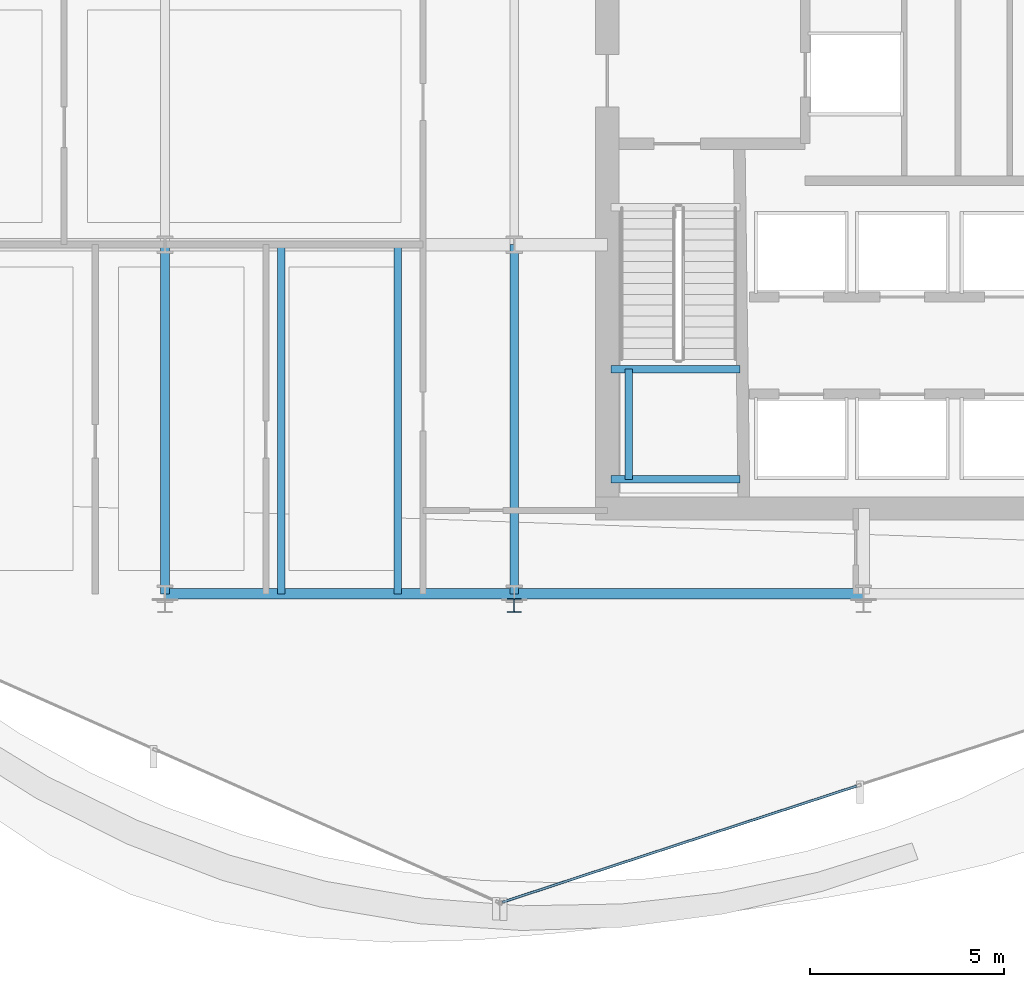
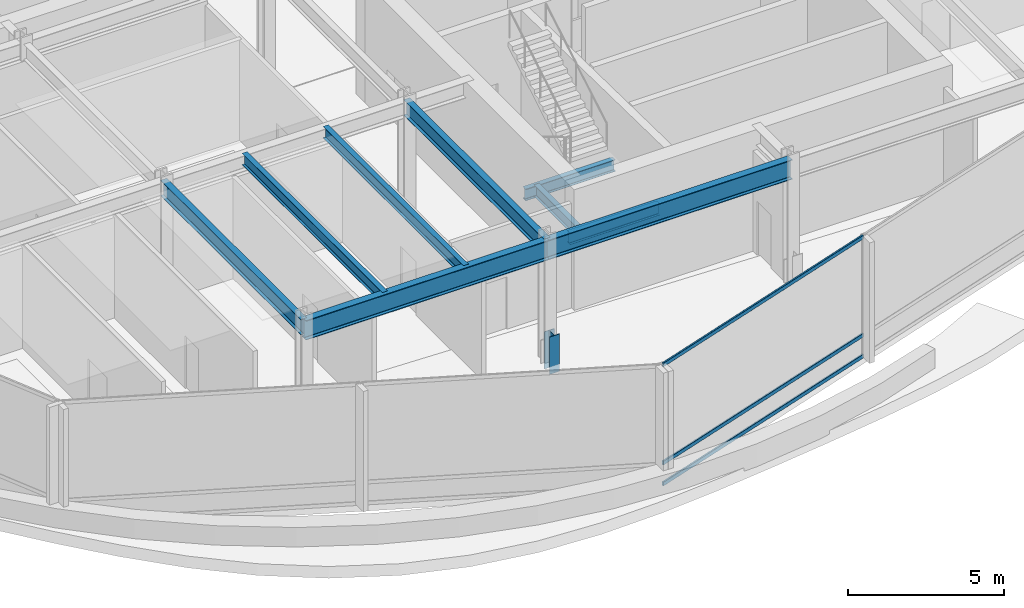
# One storey, part 4 of 33: 9 beams, 4 members, 1 element without a shape of its own.
"""IFC4 building model written with IfcOpenShell, lengths in metres."""

from ifc_helpers import new_model, si_unit, direction, frame, origin, origin_2d, place, context, subcontext, project, spatial, hollow_rectangle, i_section, extrude, material, layer, layer_set, material_profile, profile_set, type_object, element, aggregate, save


model = new_model("IFC4")

# Units and contexts
model_context = context("Model", 3, precision=1e-05, world=origin(), true_north=direction((0.0, 1.0)))
body_context = subcontext(model_context, "Body", "Model", "MODEL_VIEW")
ifc_project = project(units=[si_unit("LENGTHUNIT", "METRE"), si_unit("AREAUNIT", "SQUARE_METRE"), si_unit("VOLUMEUNIT", "CUBIC_METRE"), si_unit("PLANEANGLEUNIT", "RADIAN"), si_unit("MASSUNIT", "GRAM", prefix="KILO")], contexts=[model_context])

# Site, building, storey
site_placement = place(None, origin())
site = spatial("IfcSite", under=ifc_project, at=site_placement, CompositionType="ELEMENT")
building_placement = place(site_placement, origin())
building = spatial("IfcBuilding", under=site, at=building_placement, Name="Solvaryn Broadcast Tower", CompositionType="ELEMENT")
storey_placement = place(building_placement, frame((0.0, 0.0, 105.0)))
storey = spatial("IfcBuildingStorey", under=building, at=storey_placement, Name="L25", CompositionType="ELEMENT", Elevation=105.0)

# Beams
ifc_material_1 = material(Name="Steel ASTM A992 Grade 50", Category="steel")
ifc_material_profile_1 = material_profile(ifc_material_1, i_section(OverallWidth=0.22802734375, OverallDepth=0.60791015625, WebThickness=0.01123046875, FlangeThickness=0.017333984375, FilletRadius=0.014892578125, at=origin_2d()))
ifc_profile_set_1 = profile_set([ifc_material_profile_1], Name="Steel ASTM A992 Grade 50")
beam_type_1 = type_object("IfcBeamType", Name="BM-B2-W24X76", PredefinedType="BEAM", material=ifc_profile_set_1)
for number, where, z_axis, x_axis, name in (
    (1, (18.0, 9.0, 4.416015625), (0.0, 1.0, 0.0), (-1.0, 0.0, 0.0), "L25 Primary Beam Y (9-18 @ X=18)"),
    (2, (27.0, 9.0, 4.416015625), (0.0, 1.0, 0.0), (-1.0, 0.0, 0.0), "L25 Primary Beam Y (9-18 @ X=27)"),
):
    element("IfcBeam", number, at=place(storey_placement, frame(where, z_axis=z_axis, x_axis=x_axis)), inside=storey, type_object=beam_type_1, Name=name, PredefinedType="BEAM", context=body_context, shape_type="SweptSolid", body=[
        extrude(i_section(OverallWidth=0.22802734375, OverallDepth=0.60791015625, WebThickness=0.01123046875, FlangeThickness=0.017333984375, FilletRadius=0.014892578125, at=origin_2d()), origin(), (0.0, 0.0, 1.0), 9.0),
    ])
ifc_material_2 = material(Name="Steel ASTM A992 Grade 50", Category="steel")
ifc_material_profile_2 = material_profile(ifc_material_2, i_section(OverallWidth=0.18994140625, OverallDepth=0.45703125, WebThickness=0.009033203125, FlangeThickness=0.014404296875, FilletRadius=0.011962890625, at=origin_2d()))
ifc_profile_set_2 = profile_set([ifc_material_profile_2], Name="Steel ASTM A992 Grade 50")
beam_type_2 = type_object("IfcBeamType", Name="BM-B4-W18X50", PredefinedType="BEAM", material=ifc_profile_set_2)
for number, where, z_axis, x_axis, name in (
    (3, (29.5, 11.949951171875, 2.071533203125), (1.0, 0.0, 0.0), (0.0, 1.0, 0.0), "L25 ST3 Landing Support Beam 1A"),
    (4, (29.5, 14.7900390625, 2.071533203125), (1.0, 0.0, 0.0), (0.0, 1.0, 0.0), "L25 ST3 Landing Support Beam 1B"),
):
    element("IfcBeam", number, at=place(storey_placement, frame(where, z_axis=z_axis, x_axis=x_axis)), inside=storey, type_object=beam_type_2, Name=name, PredefinedType="BEAM", context=body_context, shape_type="SweptSolid", body=[
        extrude(i_section(OverallWidth=0.18994140625, OverallDepth=0.45703125, WebThickness=0.009033203125, FlangeThickness=0.014404296875, FilletRadius=0.011962890625, at=origin_2d()), origin(), (0.0, 0.0, 1.0), 3.320068359375),
    ])
beam_placement = place(storey_placement, frame((29.949951171875, 11.949951171875, 2.071533203125), z_axis=(0.0, 1.0, 0.0), x_axis=(-1.0, 0.0, 0.0)))
element("IfcBeam", 5, at=beam_placement, inside=storey, type_object=beam_type_2, Name="L25 ST3 Landing Cross Stringer 1C", PredefinedType="BEAM", context=body_context, shape_type="SweptSolid", body=[
    extrude(i_section(OverallWidth=0.18994140625, OverallDepth=0.45703125, WebThickness=0.009033203125, FlangeThickness=0.014404296875, FilletRadius=0.011962890625, at=origin_2d()), origin(), (0.0, 0.0, 1.0), 2.840087890625),
])
ifc_material_3 = material(Name="Steel ASTM A992 Grade 50", Category="steel")
ifc_material_profile_3 = material_profile(ifc_material_3, i_section(OverallWidth=0.18994140625, OverallDepth=0.45703125, WebThickness=0.009033203125, FlangeThickness=0.014404296875, FilletRadius=0.011962890625, at=origin_2d()))
ifc_profile_set_3 = profile_set([ifc_material_profile_3], Name="Steel ASTM A992 Grade 50")
beam_type_3 = type_object("IfcBeamType", Name="BM-JOIST-W18X50", PredefinedType="JOIST", material=ifc_profile_set_3)
for number, where, z_axis, x_axis, name in (
    (6, (21.0, 9.0, 4.491455078125), (0.0, 1.0, 0.0), (-1.0, 0.0, 0.0), "L25 Sky-Garden Floor Joist 1"),
    (7, (24.0, 9.0, 4.491455078125), (0.0, 1.0, 0.0), (-1.0, 0.0, 0.0), "L25 Sky-Garden Floor Joist 2"),
):
    element("IfcBeam", number, at=place(storey_placement, frame(where, z_axis=z_axis, x_axis=x_axis)), inside=storey, type_object=beam_type_3, Name=name, PredefinedType="JOIST", context=body_context, shape_type="SweptSolid", body=[
        extrude(i_section(OverallWidth=0.18994140625, OverallDepth=0.45703125, WebThickness=0.009033203125, FlangeThickness=0.014404296875, FilletRadius=0.011962890625, at=origin_2d()), origin(), (0.0, 0.0, 1.0), 9.0),
    ])
ifc_material_4 = material(Name="Steel ASTM A992 Grade 50", Category="steel")
ifc_material_profile_4 = material_profile(ifc_material_4, i_section(OverallWidth=0.26708984375, OverallDepth=0.76611328125, WebThickness=0.014892578125, FlangeThickness=0.023681640625, FilletRadius=0.01806640625, at=origin_2d()))
ifc_profile_set_4 = profile_set([ifc_material_profile_4], Name="Steel ASTM A992 Grade 50")
beam_type_4 = type_object("IfcBeamType", Name="BM-SP2-W30X124", PredefinedType="USERDEFINED", material=ifc_profile_set_4)
for number, where, z_axis, x_axis, name in (
    (8, (18.0, 9.0, 4.3369140625), (1.0, 0.0, 0.0), (0.0, 1.0, 0.0), "L25 Spandrel Beam X (18-27 @ Y=9)"),
    (9, (27.0, 9.0, 4.3369140625), (1.0, 0.0, 0.0), (0.0, 1.0, 0.0), "L25 Spandrel Beam X (27-36 @ Y=9)"),
):
    element("IfcBeam", number, at=place(storey_placement, frame(where, z_axis=z_axis, x_axis=x_axis)), inside=storey, type_object=beam_type_4, Name=name, ObjectType="SPANDREL", PredefinedType="USERDEFINED", context=body_context, shape_type="SweptSolid", body=[
        extrude(i_section(OverallWidth=0.26708984375, OverallDepth=0.76611328125, WebThickness=0.014892578125, FlangeThickness=0.023681640625, FilletRadius=0.01806640625, at=origin_2d()), origin(), (0.0, 0.0, 1.0), 9.0),
    ])

# Curtain wall, members
ifc_material_5 = material(Name="Aluminium and Terracotta Unitised Curtain Wall", Category="masonry")
ifc_layer = layer(ifc_material_5, 0.25)
ifc_layer_set = layer_set([ifc_layer], Name="CW-SYS4-SKYGARDEN")
curtain_wall_type = type_object("IfcCurtainWallType", Name="CW-SYS4-SKYGARDEN", PredefinedType="NOTDEFINED", material=ifc_layer_set)
curtain_wall_placement = place(storey_placement, origin())
curtain_wall = element("IfcCurtainWall", 10, at=curtain_wall_placement, inside=storey, type_object=curtain_wall_type, Name="L25 Curtain Wall DR4", PredefinedType="NOTDEFINED")
ifc_material_6 = material(Name="Anodised Aluminium 6063-T6", Category="aluminium")
ifc_material_profile_5 = material_profile(ifc_material_6, hollow_rectangle(XDim=0.06494140625, YDim=0.14990234375, WallThickness=0.00390625, InnerFilletRadius=0.00390625, OuterFilletRadius=0.008056640625, at=origin_2d()))
ifc_profile_set_5 = profile_set([ifc_material_profile_5], Name="Anodised Aluminium 6063-T6")
member_type_1 = type_object("IfcMemberType", Name="CW-TRN-150", PredefinedType="USERDEFINED", material=ifc_profile_set_5)
member_1_placement = place(storey_placement, frame((26.693115234375, 1.052734375, 0.030029296875), z_axis=(0.950199324258, 0.311642815061, 0.0), x_axis=(-0.311642815061, 0.950199324258, 0.0)))
member_1 = element("IfcMember", 11, at=member_1_placement, type_object=member_type_1, Name="CWS4 transom 1.1", ObjectType="TRANSOM", PredefinedType="USERDEFINED", context=body_context, shape_type="SweptSolid", body=[
    extrude(hollow_rectangle(XDim=0.06494140625, YDim=0.14990234375, WallThickness=0.00390625, InnerFilletRadius=0.00390625, OuterFilletRadius=0.008056640625, at=origin_2d()), origin(), (0.0, 0.0, 1.0), 9.6083984375),
])
member_2_placement = place(storey_placement, frame((26.693115234375, 1.052734375, 0.85009765625), z_axis=(0.950199324258, 0.311642815061, 0.0), x_axis=(-0.311642815061, 0.950199324258, 0.0)))
member_2 = element("IfcMember", 12, at=member_2_placement, type_object=member_type_1, Name="CWS4 transom 1.2", ObjectType="TRANSOM", PredefinedType="USERDEFINED", context=body_context, shape_type="SweptSolid", body=[
    extrude(hollow_rectangle(XDim=0.06494140625, YDim=0.14990234375, WallThickness=0.00390625, InnerFilletRadius=0.00390625, OuterFilletRadius=0.008056640625, at=origin_2d()), origin(), (0.0, 0.0, 1.0), 9.6083984375),
])
member_3_placement = place(storey_placement, frame((26.693115234375, 1.052734375, 4.68994140625), z_axis=(0.950199324258, 0.311642815061, 0.0), x_axis=(-0.311642815061, 0.950199324258, 0.0)))
member_3 = element("IfcMember", 13, at=member_3_placement, type_object=member_type_1, Name="CWS4 transom 1.3", ObjectType="TRANSOM", PredefinedType="USERDEFINED", context=body_context, shape_type="SweptSolid", body=[
    extrude(hollow_rectangle(XDim=0.06494140625, YDim=0.14990234375, WallThickness=0.00390625, InnerFilletRadius=0.00390625, OuterFilletRadius=0.008056640625, at=origin_2d()), origin(), (0.0, 0.0, 1.0), 9.6083984375),
])
aggregate(curtain_wall, [member_1, member_2, member_3])

# Member
ifc_material_7 = material(Name="Steel ASTM A913 Grade 65", Category="steel")
ifc_material_profile_6 = material_profile(ifc_material_7, i_section(OverallWidth=0.3701171875, OverallDepth=0.360107421875, WebThickness=0.01220703125, FlangeThickness=0.019775390625, FilletRadius=0.014892578125, at=origin_2d()))
ifc_profile_set_6 = profile_set([ifc_material_profile_6], Name="Steel ASTM A913 Grade 65")
member_type_2 = type_object("IfcMemberType", Name="MB-COL-SPLICE", PredefinedType="POST", material=ifc_profile_set_6)
member_4_placement = place(storey_placement, frame((27.0, 8.699951171875, -0.260009765625), z_axis=(0.0, 0.0, 1.0), x_axis=(1.0, 0.0, 0.0)))
element("IfcMember", 14, at=member_4_placement, inside=storey, type_object=member_type_2, Name="L25 Zone Splice Stiffener 2", PredefinedType="POST", context=body_context, shape_type="SweptSolid", body=[
    extrude(i_section(OverallWidth=0.3701171875, OverallDepth=0.360107421875, WebThickness=0.01220703125, FlangeThickness=0.019775390625, FilletRadius=0.014892578125, at=origin_2d()), origin(), (0.0, 0.0, 1.0), 1.4599609375),
])

save(model, "model.ifc")
